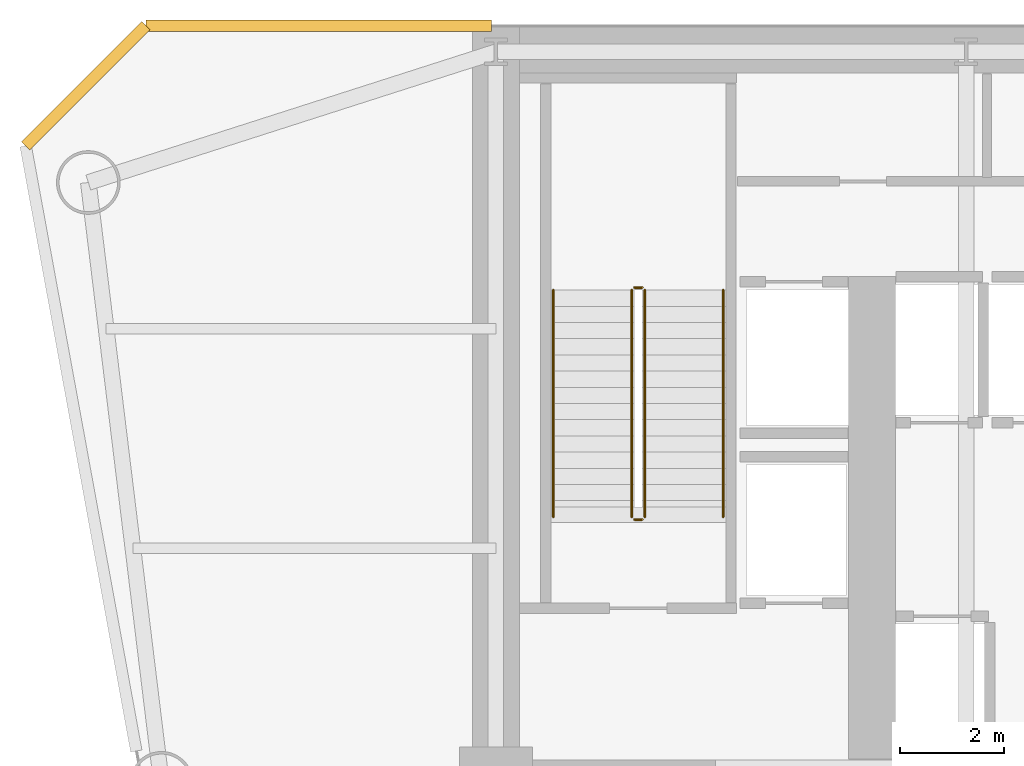
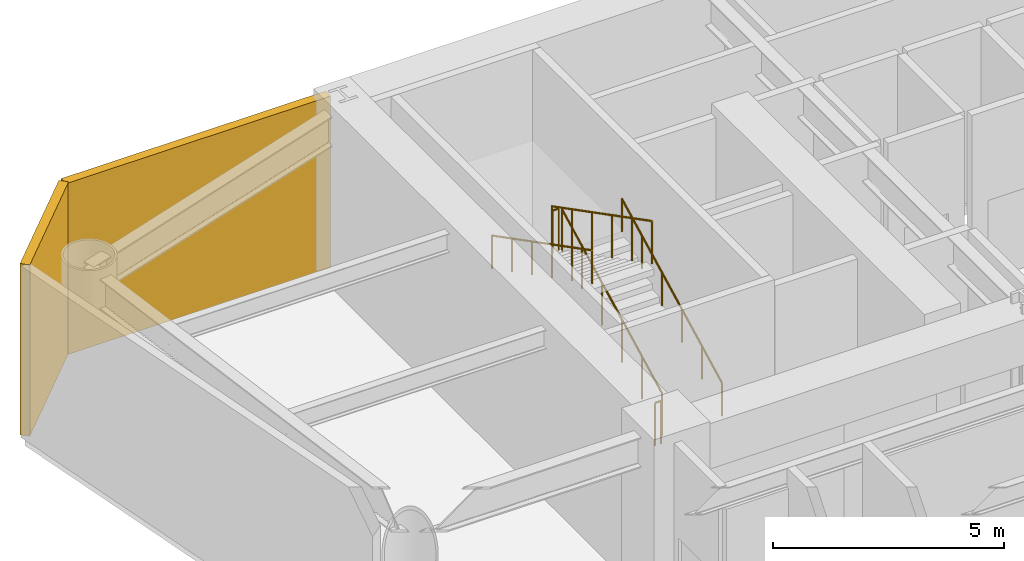
# One storey, part 9 of 10: 6 railings, 2 coverings.
"""IFC4 building model written with IfcOpenShell, lengths in metres."""

from ifc_helpers import new_model, si_unit, direction, frame, origin, origin_2d, place, context, subcontext, project, spatial, rectangle, circle, extrude, source, transform, mapped, material, layer, layer_set, type_object, element, save


model = new_model("IFC4")

# Units and contexts
model_context = context("Model", 3, precision=1e-05, world=origin(), true_north=direction((0.0, 1.0)))
body_context = subcontext(model_context, "Body", "Model", "MODEL_VIEW")
ifc_project = project(units=[si_unit("LENGTHUNIT", "METRE"), si_unit("AREAUNIT", "SQUARE_METRE"), si_unit("VOLUMEUNIT", "CUBIC_METRE"), si_unit("PLANEANGLEUNIT", "RADIAN"), si_unit("MASSUNIT", "GRAM", prefix="KILO")], contexts=[model_context])

# Site, building, storey
site_placement = place(None, origin())
site = spatial("IfcSite", under=ifc_project, at=site_placement, CompositionType="ELEMENT")
building_placement = place(site_placement, origin())
building = spatial("IfcBuilding", under=site, at=building_placement, Name="Vaeldorn Concourse Tower", CompositionType="ELEMENT")
storey_placement = place(building_placement, frame((0.0, 0.0, 83.39990234375)))
storey = spatial("IfcBuildingStorey", under=building, at=storey_placement, Name="L21", CompositionType="ELEMENT", Elevation=83.39990234375)

# Railings
ifc_material = material(Name="Anodised Bronze Aluminium", Category="aluminium")
railing_type_1 = type_object("IfcRailingType", Name="RL-STAIR-GUARD", PredefinedType="GUARDRAIL", material=ifc_material)
railing_1_placement = place(storey_placement, frame((16.85009765625, 41.60009765625, 0.16015625)))
element("IfcRailing", 1, at=railing_1_placement, inside=storey, type_object=railing_type_1, Name="L21 ST-1 stair guard 1", PredefinedType="GUARDRAIL", context=body_context, shape_type="SweptSolid", body=[
    extrude(circle(Radius=0.02392578125, at=origin_2d()), frame((0.0, 0.0, 1.1259765625), z_axis=(0.0, 0.888614742027, 0.458654379956), x_axis=(-1.0, 0.0, 0.0)), (0.0, 0.0, 1.0), 4.8837890625),
    extrude(circle(Radius=0.02099609375, at=origin_2d()), origin(), (0.0, 0.0, 1.0), 1.101806640625),
    extrude(circle(Radius=0.02099609375, at=origin_2d()), frame((0.0, 0.867919921875, 0.447998046875)), (0.0, 0.0, 1.0), 1.101806640625),
    extrude(circle(Radius=0.02099609375, at=origin_2d()), frame((0.0, 1.73583984375, 0.89599609375)), (0.0, 0.0, 1.0), 1.101806640625),
    extrude(circle(Radius=0.02099609375, at=origin_2d()), frame((0.0, 2.60400390625, 1.343994140625)), (0.0, 0.0, 1.0), 1.101806640625),
    extrude(circle(Radius=0.02099609375, at=origin_2d()), frame((0.0, 3.471923828125, 1.7919921875)), (0.0, 0.0, 1.0), 1.101806640625),
    extrude(circle(Radius=0.02099609375, at=origin_2d()), frame((0.0, 4.33984375, 2.239990234375)), (0.0, 0.0, 1.0), 1.101806640625),
])
railing_2_placement = place(storey_placement, frame((16.800048828125, 45.989990234375, 2.400146484375)))
element("IfcRailing", 2, at=railing_2_placement, inside=storey, type_object=railing_type_1, Name="L21 ST-1 stair guard 2", PredefinedType="GUARDRAIL", context=body_context, shape_type="SweptSolid", body=[
    extrude(circle(Radius=0.02392578125, at=origin_2d()), frame((0.0, 0.0, 1.1259765625), z_axis=(-1.0, 0.0, 0.0), x_axis=(0.0, -1.0, 0.0)), (0.0, 0.0, 1.0), 0.150146484375),
    extrude(circle(Radius=0.02099609375, at=origin_2d()), origin(), (0.0, 0.0, 1.0), 1.101806640625),
    extrude(circle(Radius=0.02099609375, at=origin_2d()), frame((-0.150146484375, 0.0, 0.0)), (0.0, 0.0, 1.0), 1.101806640625),
])
railing_3_placement = place(storey_placement, frame((16.60009765625, 45.93994140625, 2.56005859375)))
element("IfcRailing", 3, at=railing_3_placement, inside=storey, type_object=railing_type_1, Name="L21 ST-1 stair guard 3", PredefinedType="GUARDRAIL", context=body_context, shape_type="SweptSolid", body=[
    extrude(circle(Radius=0.02392578125, at=origin_2d()), frame((0.0, 0.0, 1.1259765625), z_axis=(0.0, -0.888614742027, 0.458654379956), x_axis=(1.0, 0.0, 0.0)), (0.0, 0.0, 1.0), 4.8837890625),
    extrude(circle(Radius=0.02099609375, at=origin_2d()), origin(), (0.0, 0.0, 1.0), 1.101806640625),
    extrude(circle(Radius=0.02099609375, at=origin_2d()), frame((0.0, -0.867919921875, 0.447998046875)), (0.0, 0.0, 1.0), 1.101806640625),
    extrude(circle(Radius=0.02099609375, at=origin_2d()), frame((0.0, -1.73583984375, 0.89599609375)), (0.0, 0.0, 1.0), 1.101806640625),
    extrude(circle(Radius=0.02099609375, at=origin_2d()), frame((0.0, -2.60400390625, 1.343994140625)), (0.0, 0.0, 1.0), 1.101806640625),
    extrude(circle(Radius=0.02099609375, at=origin_2d()), frame((0.0, -3.471923828125, 1.7919921875)), (0.0, 0.0, 1.0), 1.101806640625),
    extrude(circle(Radius=0.02099609375, at=origin_2d()), frame((0.0, -4.33984375, 2.239990234375)), (0.0, 0.0, 1.0), 1.101806640625),
])
railing_4_placement = place(storey_placement, frame((16.800048828125, 41.550048828125, 0.0)))
element("IfcRailing", 4, at=railing_4_placement, inside=storey, type_object=railing_type_1, Name="L21 ST-1 stair guard 4", PredefinedType="GUARDRAIL", context=body_context, shape_type="SweptSolid", body=[
    extrude(circle(Radius=0.02392578125, at=origin_2d()), frame((0.0, 0.0, 1.1259765625), z_axis=(-1.0, 0.0, 0.0), x_axis=(0.0, -1.0, 0.0)), (0.0, 0.0, 1.0), 0.150146484375),
    extrude(circle(Radius=0.02099609375, at=origin_2d()), origin(), (0.0, 0.0, 1.0), 1.101806640625),
    extrude(circle(Radius=0.02099609375, at=origin_2d()), frame((-0.150146484375, 0.0, 0.0)), (0.0, 0.0, 1.0), 1.101806640625),
])
railing_type_2 = type_object("IfcRailingType", Name="RL-STAIR-HANDRAIL", PredefinedType="HANDRAIL", material=ifc_material)
railing_5_placement = place(storey_placement, frame((18.35009765625, 41.60009765625, 0.16015625)))
element("IfcRailing", 5, at=railing_5_placement, inside=storey, type_object=railing_type_2, Name="L21 ST-1 stair handrail 1", PredefinedType="HANDRAIL", context=body_context, shape_type="SweptSolid", body=[
    extrude(circle(Radius=0.02392578125, at=origin_2d()), frame((0.0, 0.0, 0.8759765625), z_axis=(0.0, 0.888614742027, 0.458654379956), x_axis=(-1.0, 0.0, 0.0)), (0.0, 0.0, 1.0), 4.8837890625),
    extrude(circle(Radius=0.02099609375, at=origin_2d()), origin(), (0.0, 0.0, 1.0), 0.851806640625),
    extrude(circle(Radius=0.02099609375, at=origin_2d()), frame((0.0, 0.867919921875, 0.447998046875)), (0.0, 0.0, 1.0), 0.851806640625),
    extrude(circle(Radius=0.02099609375, at=origin_2d()), frame((0.0, 1.73583984375, 0.89599609375)), (0.0, 0.0, 1.0), 0.851806640625),
    extrude(circle(Radius=0.02099609375, at=origin_2d()), frame((0.0, 2.60400390625, 1.343994140625)), (0.0, 0.0, 1.0), 0.851806640625),
    extrude(circle(Radius=0.02099609375, at=origin_2d()), frame((0.0, 3.471923828125, 1.7919921875)), (0.0, 0.0, 1.0), 0.851806640625),
    extrude(circle(Radius=0.02099609375, at=origin_2d()), frame((0.0, 4.33984375, 2.239990234375)), (0.0, 0.0, 1.0), 0.851806640625),
])
railing_6_placement = place(storey_placement, frame((15.10009765625, 45.93994140625, 2.56005859375)))
element("IfcRailing", 6, at=railing_6_placement, inside=storey, type_object=railing_type_2, Name="L21 ST-1 stair handrail 2", PredefinedType="HANDRAIL", context=body_context, shape_type="SweptSolid", body=[
    extrude(circle(Radius=0.02392578125, at=origin_2d()), frame((0.0, 0.0, 0.8759765625), z_axis=(0.0, -0.888614742027, 0.458654379956), x_axis=(1.0, 0.0, 0.0)), (0.0, 0.0, 1.0), 4.8837890625),
    extrude(circle(Radius=0.02099609375, at=origin_2d()), origin(), (0.0, 0.0, 1.0), 0.851806640625),
    extrude(circle(Radius=0.02099609375, at=origin_2d()), frame((0.0, -0.867919921875, 0.447998046875)), (0.0, 0.0, 1.0), 0.851806640625),
    extrude(circle(Radius=0.02099609375, at=origin_2d()), frame((0.0, -1.73583984375, 0.89599609375)), (0.0, 0.0, 1.0), 0.851806640625),
    extrude(circle(Radius=0.02099609375, at=origin_2d()), frame((0.0, -2.60400390625, 1.343994140625)), (0.0, 0.0, 1.0), 0.851806640625),
    extrude(circle(Radius=0.02099609375, at=origin_2d()), frame((0.0, -3.471923828125, 1.7919921875)), (0.0, 0.0, 1.0), 0.851806640625),
    extrude(circle(Radius=0.02099609375, at=origin_2d()), frame((0.0, -4.33984375, 2.239990234375)), (0.0, 0.0, 1.0), 0.851806640625),
])

# Coverings
ifc_layer = layer(ifc_material, 1.60009765625)
ifc_layer_set = layer_set([ifc_layer], Name="Anodised Bronze Aluminium")
covering_type = type_object("IfcCoveringType", Name="SD-BRONZE-LOUVRE", PredefinedType="USERDEFINED", material=ifc_layer_set)
shared_shape_1 = source(origin(), body_context, "Body", "SweptSolid", [
    extrude(rectangle(XDim=3.252685546875, YDim=0.219970703125, at=origin_2d()), origin(), (0.0, 0.0, 1.0), 4.5400390625),
])
covering_1_placement = place(storey_placement, frame((6.14990234375, 49.85009765625, 0.0), z_axis=(0.0, 0.0, 1.0), x_axis=(-0.707106781187, -0.707106781187, 0.0)))
element("IfcCovering", 7, at=covering_1_placement, inside=storey, type_object=covering_type, Name="Refuge Band Bronze Acoustic Louvre L21-10.1", ObjectType="LOUVRE", PredefinedType="USERDEFINED", context=body_context, shape_type="MappedRepresentation", body=[
    mapped(shared_shape_1, transform((0.0, 0.0, 0.0), scale=1.0)),
])
shared_shape_2 = source(origin(), body_context, "Body", "SweptSolid", [
    extrude(rectangle(XDim=6.6201171875, YDim=0.219970703125, at=origin_2d()), origin(), (0.0, 0.0, 1.0), 4.5400390625),
])
covering_2_placement = place(storey_placement, frame((10.610107421875, 51.0, 0.0), z_axis=(0.0, 0.0, 1.0), x_axis=(-1.0, 0.0, 0.0)))
element("IfcCovering", 8, at=covering_2_placement, inside=storey, type_object=covering_type, Name="Refuge Band Bronze Acoustic Louvre L21-09.2", ObjectType="LOUVRE", PredefinedType="USERDEFINED", context=body_context, shape_type="MappedRepresentation", body=[
    mapped(shared_shape_2, transform((0.0, 0.0, 0.0), scale=1.0)),
])

save(model, "model.ifc")
